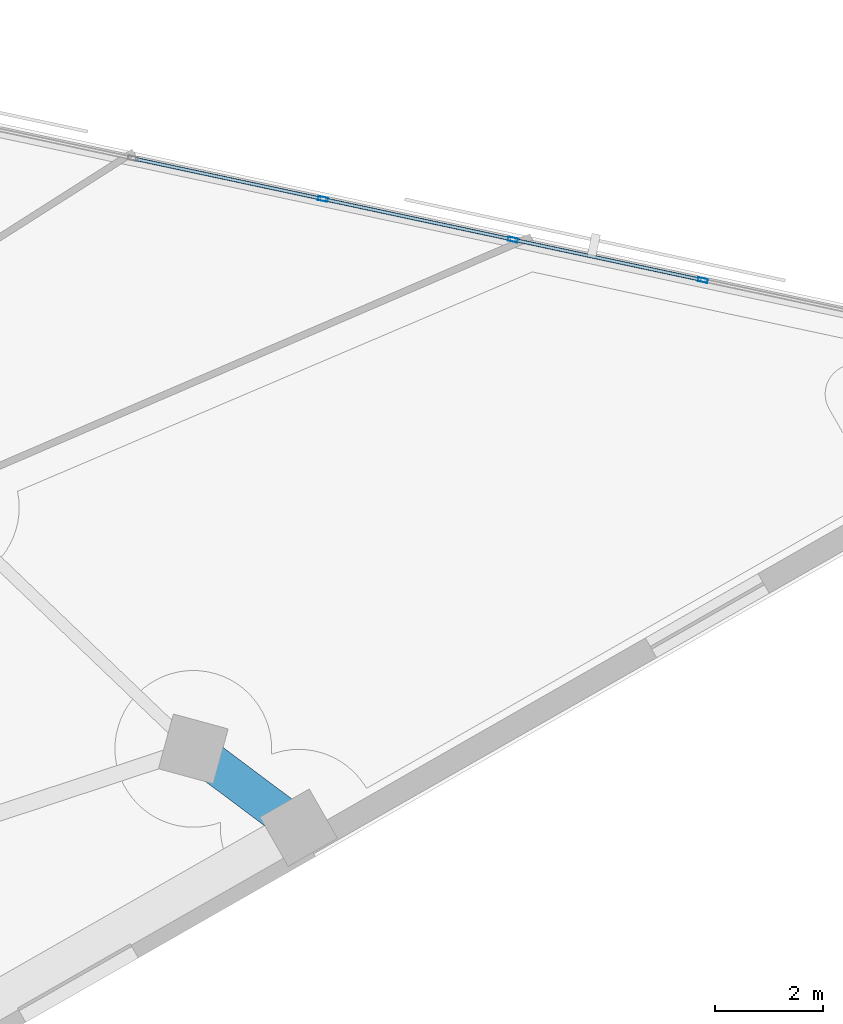
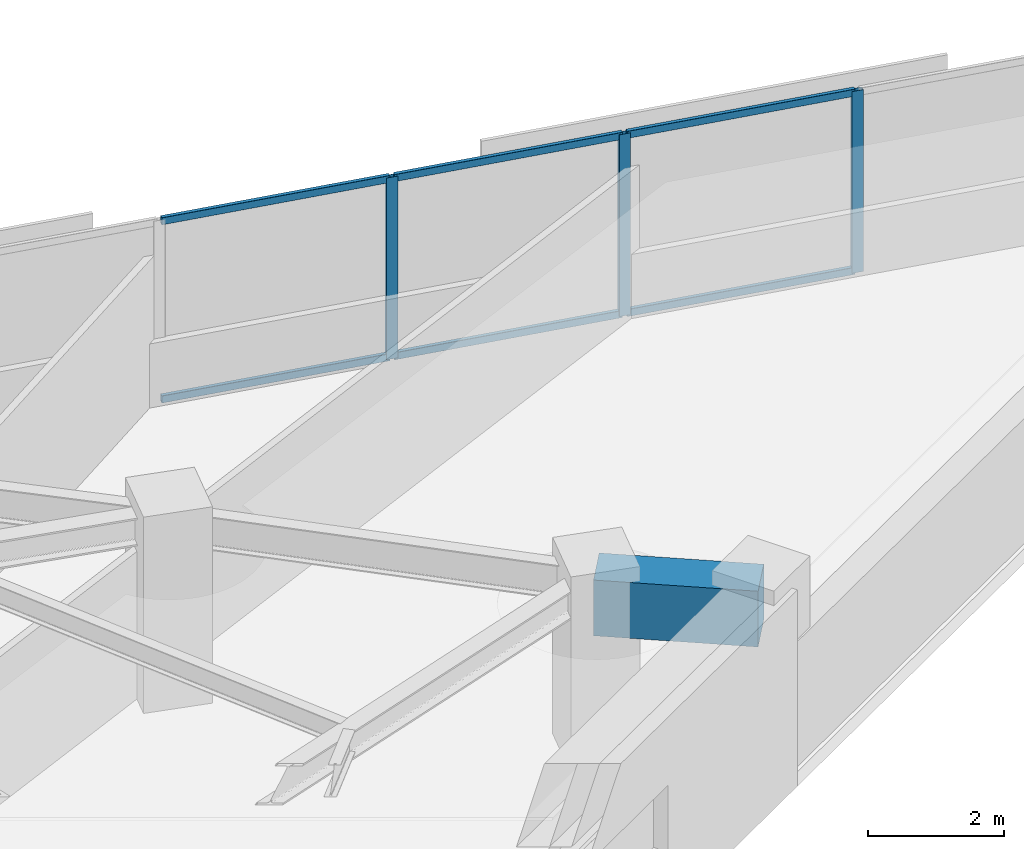
# One storey, part 5 of 13: 9 members, 1 beam, 1 element without a shape of its own.
"""IFC4 building model written with IfcOpenShell, lengths in metres."""

import ifcopenshell
import ifcopenshell.guid

model = None  # the IFC model being written
_history = None  # IfcOwnerHistory: only IFC2X3 demands one
_inside = {}  # id of a spatial element -> (the spatial element, [elements in it])
_under = {}  # id of a project, library or spatial element -> (it, [spatial elements below it])
_declared = {}  # id of a project -> (the project, [libraries it declares])
_typed = {}  # id of a type object -> (the type object, [elements of that type])
_made_of = {}  # id of a material, layer set ... -> (it, [elements and type objects made of it])


def new_model(schema):
    """Start an empty IFC model of exactly this schema.

    Asked for "IFC4X3", IfcOpenShell would pick the latest addendum, in which some entities
    have other attributes; the version numbers below select the first issue.
    IFC2X3 requires an IfcOwnerHistory on every rooted entity: one is made here for all.
    """
    global model, _history
    if schema == "IFC4X3":
        model = ifcopenshell.file(schema_version=(4, 3, 0, 0))
    else:
        model = ifcopenshell.file(schema=schema)
    _inside.clear()
    _under.clear()
    _declared.clear()
    _typed.clear()
    _made_of.clear()
    _history = None
    if model.schema == "IFC2X3":
        org = make("IfcOrganization", Name="unknown")
        user = make(
            "IfcPersonAndOrganization",
            ThePerson=make("IfcPerson", FamilyName="unknown"),
            TheOrganization=org,
        )
        app = make(
            "IfcApplication",
            ApplicationDeveloper=org,
            Version="unknown",
            ApplicationFullName="unknown",
            ApplicationIdentifier="unknown",
        )
        _history = make(
            "IfcOwnerHistory",
            OwningUser=user,
            OwningApplication=app,
            ChangeAction="ADDED",
            CreationDate=0,
        )
    return model


def make(cls, **values):
    """One entity of the class cls with the attributes given. An attribute that is None is left unset."""
    return model.create_entity(
        cls, **{name: value for name, value in values.items() if value is not None}
    )


def rooted(cls, **values):
    """An entity with a GlobalId (a new one), such as an element, a storey or a relation."""
    return make(cls, GlobalId=ifcopenshell.guid.new(), OwnerHistory=_history, **values)


def si_unit(unit_type, name, prefix=None):
    """IfcSIUnit, for example si_unit("LENGTHUNIT", "METRE", prefix="MILLI")."""
    return make("IfcSIUnit", UnitType=unit_type, Prefix=prefix, Name=name)


def assignment(units):
    """IfcUnitAssignment: the units of a project."""
    return None if units is None else make("IfcUnitAssignment", Units=units)


def point(xyz):
    """IfcCartesianPoint."""
    return None if xyz is None else make("IfcCartesianPoint", Coordinates=xyz)


def direction(xyz):
    """IfcDirection."""
    return None if xyz is None else make("IfcDirection", DirectionRatios=xyz)


def frame(location, z_axis=None, x_axis=None):
    """IfcAxis2Placement3D, a coordinate frame: its origin and axes. An axis left out is left unset."""
    return make(
        "IfcAxis2Placement3D",
        Location=point(location),
        Axis=direction(z_axis),
        RefDirection=direction(x_axis),
    )


def frame_2d(location, x_axis=None):
    """IfcAxis2Placement2D, a coordinate frame in the plane: its origin and x axis."""
    return make(
        "IfcAxis2Placement2D", Location=point(location), RefDirection=direction(x_axis)
    )


def origin():
    """The frame at (0, 0, 0) with its axes left unset."""
    return frame((0.0, 0.0, 0.0))


def origin_2d():
    """The frame at (0, 0) in the plane with its x axis left unset."""
    return frame_2d((0.0, 0.0))


def place(relative_to, where):
    """IfcLocalPlacement: puts the frame where relative to a parent placement (None: the world)."""
    return make(
        "IfcLocalPlacement", PlacementRelTo=relative_to, RelativePlacement=where
    )


def context(
    kind, dimensions, precision=None, world=None, true_north=None, identifier=None
):
    """IfcGeometricRepresentationContext, for example the 3D "Model" context."""
    return make(
        "IfcGeometricRepresentationContext",
        ContextIdentifier=identifier,
        ContextType=kind,
        CoordinateSpaceDimension=dimensions,
        Precision=precision,
        WorldCoordinateSystem=world,
        TrueNorth=true_north,
    )


def subcontext(parent, identifier, kind, view, scale=None):
    """IfcGeometricRepresentationSubContext, for example "Body" below "Model"."""
    return make(
        "IfcGeometricRepresentationSubContext",
        ContextIdentifier=identifier,
        ContextType=kind,
        ParentContext=parent,
        TargetScale=scale,
        TargetView=view,
    )


def project(units=None, contexts=None):
    """IfcProject with its units and contexts."""
    return rooted(
        "IfcProject",
        Name="project",
        RepresentationContexts=contexts,
        UnitsInContext=assignment(units),
    )


def spatial(cls, under=None, at=None, **own):
    """A site, building, storey or space (cls), placed at a placement, below another one or the project."""
    s = rooted(cls, ObjectPlacement=at, **own)
    if under is not None:
        _under.setdefault(under.id(), (under, []))[1].append(s)
    return s


def profile(cls, at=None, kind="AREA", **sizes):
    """A parametric profile (cls). Its sizes go by their IFC names, for example OverallWidth=200.0."""
    return make(cls, ProfileType=kind, Position=at, **sizes)


def rectangle(**sizes):
    """IfcRectangleProfileDef."""
    return profile("IfcRectangleProfileDef", **sizes)


def hollow_rectangle(**sizes):
    """IfcRectangleHollowProfileDef."""
    return profile("IfcRectangleHollowProfileDef", **sizes)


def extrude(swept, where, along, depth):
    """IfcExtrudedAreaSolid: the profile swept, set in the frame where, extruded along a direction by depth."""
    return make(
        "IfcExtrudedAreaSolid",
        SweptArea=swept,
        Position=where,
        ExtrudedDirection=direction(along),
        Depth=depth,
    )


def shape(context_of_items, identifier, shape_type, items):
    """IfcShapeRepresentation: the items that make up one representation, for example the "Body"."""
    return make(
        "IfcShapeRepresentation",
        ContextOfItems=context_of_items,
        RepresentationIdentifier=identifier,
        RepresentationType=shape_type,
        Items=items,
    )


def material(Name=None, Category=None):
    """IfcMaterial."""
    return make("IfcMaterial", Name=Name, Category=Category)


def material_profile(
    of_material, cross_section, Name=None, Category=None, Priority=None
):
    """IfcMaterialProfile: a cross section and its material."""
    return make(
        "IfcMaterialProfile",
        Name=Name,
        Material=of_material,
        Profile=cross_section,
        Priority=Priority,
        Category=Category,
    )


def profile_set(profiles, Name=None, composite=None):
    """IfcMaterialProfileSet."""
    return make(
        "IfcMaterialProfileSet",
        Name=Name,
        MaterialProfiles=profiles,
        CompositeProfile=composite,
    )


def made_of(thing, what):
    """Note that an element or type object is made of a material, layer set ...; save() writes the relation."""
    if what is not None:
        _made_of.setdefault(what.id(), (what, []))[1].append(thing)
    return thing


def type_object(cls, material=None, **own):
    """A type object (cls), such as IfcWallType, which elements share."""
    return made_of(rooted(cls, **own), material)


def element(
    cls,
    number,
    at=None,
    inside=None,
    cuts=None,
    type_object=None,
    material=None,
    context=None,
    identifier="Body",
    shape_type=None,
    held_by="IfcProductDefinitionShape",
    body=None,
    shapes=None,
    **own,
):
    """One element of the class cls, such as IfcWall. Its Tag is "e" and its number.

    at: its placement. inside: the storey or other place that contains it. cuts: it is an
    opening in that element (IfcRelVoidsElement). A single representation is given by context,
    identifier, shape_type and body (its items); several are given by shapes. held_by: the class
    of the entity that holds the representations. save() writes the other relations.
    """
    e = rooted(cls, Tag="e%d" % number, ObjectPlacement=at, **own)
    if body is not None:
        shapes = [shape(context, identifier, shape_type, body)]
    if shapes is not None:
        e.Representation = make(held_by, Representations=shapes)
    if inside is not None:
        _inside.setdefault(inside.id(), (inside, []))[1].append(e)
    if cuts is not None:
        rooted(
            "IfcRelVoidsElement", RelatingBuildingElement=cuts, RelatedOpeningElement=e
        )
    if type_object is not None:
        _typed.setdefault(type_object.id(), (type_object, []))[1].append(e)
    return made_of(e, material)


def aggregate(whole, parts):
    """IfcRelAggregates: a whole, such as a stair, and the parts it consists of."""
    return rooted("IfcRelAggregates", RelatingObject=whole, RelatedObjects=parts)


def save(model, path):
    """Write the relations noted so far, then the file.

    IfcRelAggregates (storeys below a building ...), IfcRelContainedInSpatialStructure (elements
    in a storey), IfcRelDefinesByType, IfcRelAssociatesMaterial and IfcRelDeclares: one each for
    every whole, place, type object, material and project.
    """
    for whole, parts in _under.values():
        aggregate(whole, parts)
    for where, things in _inside.values():
        rooted(
            "IfcRelContainedInSpatialStructure",
            RelatedElements=things,
            RelatingStructure=where,
        )
    for kind, things in _typed.values():
        rooted("IfcRelDefinesByType", RelatedObjects=things, RelatingType=kind)
    for what, things in _made_of.values():
        rooted("IfcRelAssociatesMaterial", RelatedObjects=things, RelatingMaterial=what)
    for by, libraries in _declared.values():
        rooted("IfcRelDeclares", RelatingContext=by, RelatedDefinitions=libraries)
    model.write(path)


model = new_model("IFC4")

# Units and contexts
model_context = context("Model", 3, precision=1e-05, world=origin(), true_north=direction((0.0, 1.0)))
body_context = subcontext(model_context, "Body", "Model", "MODEL_VIEW")
ifc_project = project(units=[si_unit("LENGTHUNIT", "METRE"), si_unit("AREAUNIT", "SQUARE_METRE"), si_unit("VOLUMEUNIT", "CUBIC_METRE"), si_unit("PLANEANGLEUNIT", "RADIAN"), si_unit("MASSUNIT", "GRAM", prefix="KILO")], contexts=[model_context])

# Site, building, storey
site_placement = place(None, origin())
site = spatial("IfcSite", under=ifc_project, at=site_placement, CompositionType="ELEMENT")
building_placement = place(site_placement, origin())
building = spatial("IfcBuilding", under=site, at=building_placement, Name="Narakoshi Arena Tower", CompositionType="ELEMENT")
storey_placement = place(building_placement, frame((0.0, 0.0, 225.5400390625)))
storey = spatial("IfcBuildingStorey", under=building, at=storey_placement, Name="L61", CompositionType="ELEMENT", Elevation=225.5400390625)

# Beam
ifc_material_1 = material(Name="Concrete C60/75", Category="concrete")
ifc_material_profile_1 = material_profile(ifc_material_1, rectangle(XDim=0.699951171875, YDim=1.0, at=origin_2d()), Name="RCB700x1000")
ifc_profile_set_1 = profile_set([ifc_material_profile_1], Name="Concrete C60/75")
beam_type = type_object("IfcBeamType", Name="BM-CPL-1000", PredefinedType="BEAM", material=ifc_profile_set_1)
beam_placement = place(storey_placement, frame((104.619873046875, 47.550048828125, 2.760009765625), z_axis=(-0.800768849668, 0.59897349641, 0.0), x_axis=(-0.59897349641, -0.800768849668, 0.0)))
element("IfcBeam", 1, at=beam_placement, inside=storey, type_object=beam_type, Name="L61 Perimeter Edge Girder 03", PredefinedType="BEAM", context=body_context, shape_type="SweptSolid", body=[
    extrude(rectangle(XDim=0.699951171875, YDim=1.0, at=origin_2d()), origin(), (0.0, 0.0, 1.0), 2.4365234375),
])

# Curtain wall, members
ifc_material_2 = material(Name="Anodised bronze aluminium 6063-T6", Category="aluminium")
curtain_wall_type = type_object("IfcCurtainWallType", Name="CW-HYP-MID", PredefinedType="NOTDEFINED", material=ifc_material_2)
curtain_wall_placement = place(storey_placement, origin())
curtain_wall = element("IfcCurtainWall", 2, at=curtain_wall_placement, inside=storey, type_object=curtain_wall_type, Name="L61 Folded Hypotenuse Curtain Wall 1-1", PredefinedType="NOTDEFINED")
ifc_material_profile_2 = material_profile(ifc_material_2, hollow_rectangle(XDim=0.074951171875, YDim=0.179931640625, WallThickness=0.00390625, OuterFilletRadius=0.0048828125, at=origin_2d()), Name="MUL180x75x4")
ifc_profile_set_2 = profile_set([ifc_material_profile_2], Name="Anodised bronze aluminium 6063-T6")
member_type_1 = type_object("IfcMemberType", Name="MEM-MUL-180", PredefinedType="MULLION", material=ifc_profile_set_2)
member_1_placement = place(storey_placement, frame((112.096435546875, 57.680908203125, 0.0), z_axis=(0.0, 0.0, 1.0), x_axis=(-0.208899163248, -0.977937185914, 0.0)))
member_1 = element("IfcMember", 3, at=member_1_placement, type_object=member_type_1, Name="CW-02 mullion 2", PredefinedType="MULLION", context=body_context, shape_type="SweptSolid", body=[
    extrude(hollow_rectangle(XDim=0.074951171875, YDim=0.179931640625, WallThickness=0.00390625, OuterFilletRadius=0.0048828125, at=origin_2d()), origin(), (0.0, 0.0, 1.0), 3.260009765625),
])
member_2_placement = place(storey_placement, frame((108.582275390625, 58.431640625, 0.0), z_axis=(0.0, 0.0, 1.0), x_axis=(-0.208899163248, -0.977937185914, 0.0)))
member_2 = element("IfcMember", 4, at=member_2_placement, type_object=member_type_1, Name="CW-02 mullion 3", PredefinedType="MULLION", context=body_context, shape_type="SweptSolid", body=[
    extrude(hollow_rectangle(XDim=0.074951171875, YDim=0.179931640625, WallThickness=0.00390625, OuterFilletRadius=0.0048828125, at=origin_2d()), origin(), (0.0, 0.0, 1.0), 3.260009765625),
])
member_3_placement = place(storey_placement, frame((105.068115234375, 59.182373046875, 0.0), z_axis=(0.0, 0.0, 1.0), x_axis=(-0.208899163248, -0.977937185914, 0.0)))
member_3 = element("IfcMember", 5, at=member_3_placement, type_object=member_type_1, Name="CW-02 mullion 4", PredefinedType="MULLION", context=body_context, shape_type="SweptSolid", body=[
    extrude(hollow_rectangle(XDim=0.074951171875, YDim=0.179931640625, WallThickness=0.00390625, OuterFilletRadius=0.0048828125, at=origin_2d()), origin(), (0.0, 0.0, 1.0), 3.260009765625),
])
ifc_material_profile_3 = material_profile(ifc_material_2, hollow_rectangle(XDim=0.06494140625, YDim=0.1298828125, WallThickness=0.00390625, OuterFilletRadius=0.0048828125, at=origin_2d()), Name="TRN130x65x4")
ifc_profile_set_3 = profile_set([ifc_material_profile_3], Name="Anodised bronze aluminium 6063-T6")
member_type_2 = type_object("IfcMemberType", Name="MEM-TRN-130", PredefinedType="USERDEFINED", material=ifc_profile_set_3)
member_4_placement = place(storey_placement, frame((112.059814453125, 57.688720703125, 0.032470703125), z_axis=(-0.977932198567, 0.20892250957, 0.0), x_axis=(-0.20892250957, -0.977932198567, 0.0)))
member_4 = element("IfcMember", 6, at=member_4_placement, type_object=member_type_2, Name="CW-02 transom 2.1", ObjectType="TRANSOM", PredefinedType="USERDEFINED", context=body_context, shape_type="SweptSolid", body=[
    extrude(hollow_rectangle(XDim=0.06494140625, YDim=0.1298828125, WallThickness=0.00390625, OuterFilletRadius=0.0048828125, at=origin_2d()), origin(), (0.0, 0.0, 1.0), 3.5185546875),
])
member_5_placement = place(storey_placement, frame((112.059814453125, 57.688720703125, 3.2275390625), z_axis=(-0.977932198567, 0.20892250957, 0.0), x_axis=(-0.20892250957, -0.977932198567, 0.0)))
member_5 = element("IfcMember", 7, at=member_5_placement, type_object=member_type_2, Name="CW-02 transom 2.2", ObjectType="TRANSOM", PredefinedType="USERDEFINED", context=body_context, shape_type="SweptSolid", body=[
    extrude(hollow_rectangle(XDim=0.06494140625, YDim=0.1298828125, WallThickness=0.00390625, OuterFilletRadius=0.0048828125, at=origin_2d()), origin(), (0.0, 0.0, 1.0), 3.5185546875),
])
member_6_placement = place(storey_placement, frame((108.545654296875, 58.439453125, 0.032470703125), z_axis=(-0.977946373003, 0.208856150329, 0.0), x_axis=(-0.208856150329, -0.977946373003, 0.0)))
member_6 = element("IfcMember", 8, at=member_6_placement, type_object=member_type_2, Name="CW-02 transom 3.1", ObjectType="TRANSOM", PredefinedType="USERDEFINED", context=body_context, shape_type="SweptSolid", body=[
    extrude(hollow_rectangle(XDim=0.06494140625, YDim=0.1298828125, WallThickness=0.00390625, OuterFilletRadius=0.0048828125, at=origin_2d()), origin(), (0.0, 0.0, 1.0), 3.5185546875),
])
member_7_placement = place(storey_placement, frame((108.545654296875, 58.439453125, 3.2275390625), z_axis=(-0.977946373003, 0.208856150329, 0.0), x_axis=(-0.208856150329, -0.977946373003, 0.0)))
member_7 = element("IfcMember", 9, at=member_7_placement, type_object=member_type_2, Name="CW-02 transom 3.2", ObjectType="TRANSOM", PredefinedType="USERDEFINED", context=body_context, shape_type="SweptSolid", body=[
    extrude(hollow_rectangle(XDim=0.06494140625, YDim=0.1298828125, WallThickness=0.00390625, OuterFilletRadius=0.0048828125, at=origin_2d()), origin(), (0.0, 0.0, 1.0), 3.5185546875),
])
member_8_placement = place(storey_placement, frame((105.031494140625, 59.190185546875, 0.032470703125), z_axis=(-0.977943345954, 0.208870323659, 0.0), x_axis=(-0.208870323659, -0.977943345954, 0.0)))
member_8 = element("IfcMember", 10, at=member_8_placement, type_object=member_type_2, Name="CW-02 transom 4.1", ObjectType="TRANSOM", PredefinedType="USERDEFINED", context=body_context, shape_type="SweptSolid", body=[
    extrude(hollow_rectangle(XDim=0.06494140625, YDim=0.1298828125, WallThickness=0.00390625, OuterFilletRadius=0.0048828125, at=origin_2d()), origin(), (0.0, 0.0, 1.0), 3.518310546875),
])
member_9_placement = place(storey_placement, frame((105.031494140625, 59.190185546875, 3.2275390625), z_axis=(-0.977943345954, 0.208870323659, 0.0), x_axis=(-0.208870323659, -0.977943345954, 0.0)))
member_9 = element("IfcMember", 11, at=member_9_placement, type_object=member_type_2, Name="CW-02 transom 4.2", ObjectType="TRANSOM", PredefinedType="USERDEFINED", context=body_context, shape_type="SweptSolid", body=[
    extrude(hollow_rectangle(XDim=0.06494140625, YDim=0.1298828125, WallThickness=0.00390625, OuterFilletRadius=0.0048828125, at=origin_2d()), origin(), (0.0, 0.0, 1.0), 3.518310546875),
])
aggregate(curtain_wall, [member_1, member_2, member_3, member_4, member_5, member_6, member_7, member_8, member_9])

save(model, "model.ifc")
